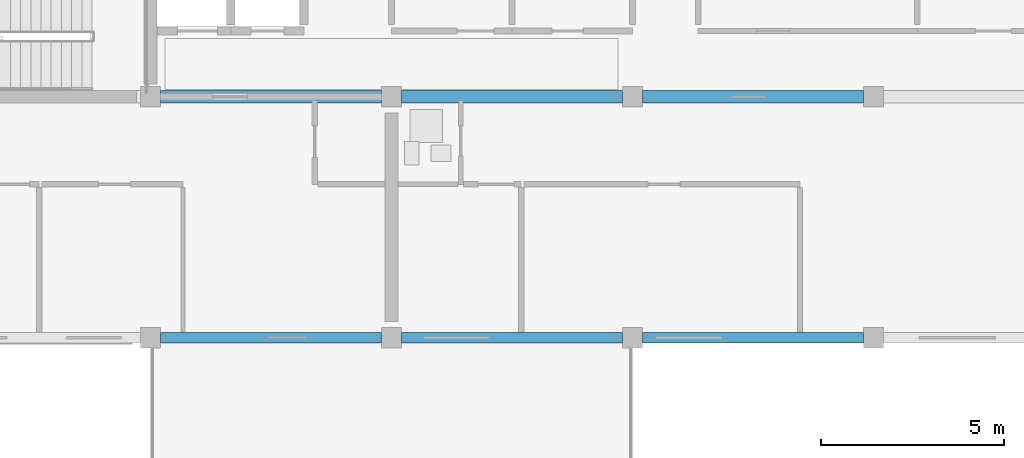
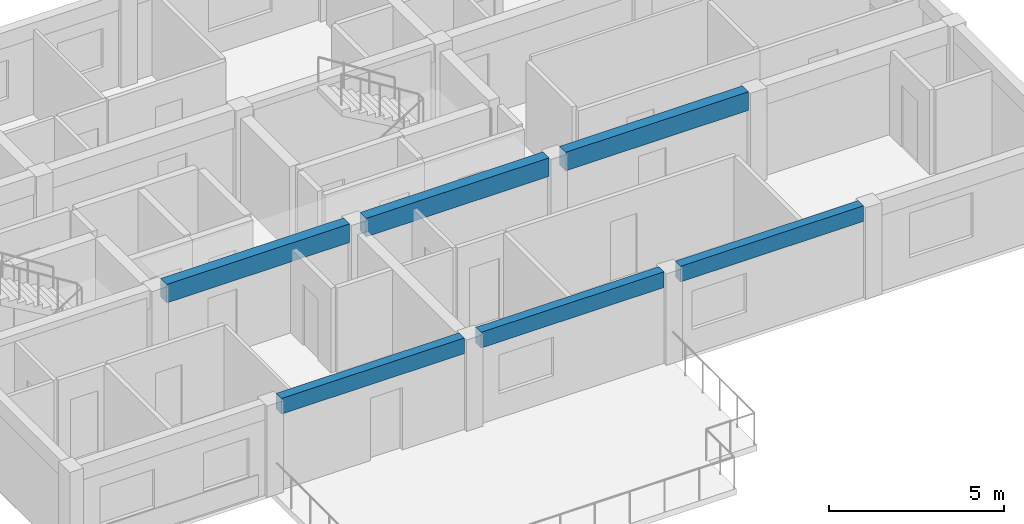
# One storey, part 19 of 51: 6 beams.
"""IFC4 building model written with IfcOpenShell, lengths in metres."""

from ifc_helpers import new_model, si_unit, direction, frame, origin, origin_2d, place, context, subcontext, project, spatial, rectangle, extrude, material, material_profile, profile_set, type_object, element, save


model = new_model("IFC4")

# Units and contexts
model_context = context("Model", 3, precision=1e-05, world=origin(), true_north=direction((0.0, 1.0)))
body_context = subcontext(model_context, "Body", "Model", "MODEL_VIEW")
ifc_project = project(units=[si_unit("LENGTHUNIT", "METRE"), si_unit("AREAUNIT", "SQUARE_METRE"), si_unit("VOLUMEUNIT", "CUBIC_METRE"), si_unit("PLANEANGLEUNIT", "RADIAN"), si_unit("MASSUNIT", "GRAM", prefix="KILO")], contexts=[model_context])

# Site, building, storey
site_placement = place(None, origin())
site = spatial("IfcSite", under=ifc_project, at=site_placement, CompositionType="ELEMENT")
building_placement = place(site_placement, origin())
building = spatial("IfcBuilding", under=site, at=building_placement, Name="Kernevlak Ridge Housing Community", CompositionType="ELEMENT")
storey_placement = place(building_placement, frame((0.0, 0.0, 8.39990234375)))
storey = spatial("IfcBuildingStorey", under=building, at=storey_placement, Name="L02", CompositionType="ELEMENT", Elevation=8.39990234375)

# Beams
ifc_material = material(Name="Concrete C35/45", Category="concrete")
ifc_material_profile_1 = material_profile(ifc_material, rectangle(XDim=0.35009765625, YDim=0.64990234375, at=origin_2d()), Name="RC 350x650")
ifc_profile_set_1 = profile_set([ifc_material_profile_1], Name="Concrete C35/45")
beam_type_1 = type_object("IfcBeamType", Name="B-02", PredefinedType="BEAM", material=ifc_profile_set_1)
for number, where, z_axis, x_axis, name in (
    (1, (126.27490234375, 89.199951171875, 2.875), (1.0, 0.0, 0.0), (0.0, 1.0, 0.0), "Beam B-02 L02 635"),
    (2, (132.875, 89.199951171875, 2.875), (1.0, 0.0, 0.0), (0.0, 1.0, 0.0), "Beam B-02 L02 636"),
):
    element("IfcBeam", number, at=place(storey_placement, frame(where, z_axis=z_axis, x_axis=x_axis)), inside=storey, type_object=beam_type_1, Name=name, PredefinedType="BEAM", context=body_context, shape_type="SweptSolid", body=[
        extrude(rectangle(XDim=0.35009765625, YDim=0.64990234375, at=origin_2d()), origin(), (0.0, 0.0, 1.0), 6.050048828125),
    ])
beam_1_placement = place(storey_placement, frame((139.47509765625, 89.199951171875, 2.875), z_axis=(1.0, 0.0, 0.0), x_axis=(0.0, 1.0, 0.0)))
element("IfcBeam", 3, at=beam_1_placement, inside=storey, type_object=beam_type_1, Name="Beam B-02 L02 637", PredefinedType="BEAM", context=body_context, shape_type="SweptSolid", body=[
    extrude(rectangle(XDim=0.35009765625, YDim=0.64990234375, at=origin_2d()), origin(), (0.0, 0.0, 1.0), 6.0498046875),
])
ifc_material_profile_2 = material_profile(ifc_material, rectangle(XDim=0.300048828125, YDim=0.550048828125, at=origin_2d()), Name="RC 300x550")
ifc_profile_set_2 = profile_set([ifc_material_profile_2], Name="Concrete C35/45")
beam_type_2 = type_object("IfcBeamType", Name="SP-01", PredefinedType="SPANDREL", material=ifc_profile_set_2)
for number, where, z_axis, x_axis, name in (
    (4, (126.27490234375, 82.60009765625, 2.925048828125), (1.0, 0.0, 0.0), (0.0, 1.0, 0.0), "Beam SP-01 L02 630"),
    (5, (132.875, 82.60009765625, 2.925048828125), (1.0, 0.0, 0.0), (0.0, 1.0, 0.0), "Beam SP-01 L02 631"),
):
    element("IfcBeam", number, at=place(storey_placement, frame(where, z_axis=z_axis, x_axis=x_axis)), inside=storey, type_object=beam_type_2, Name=name, PredefinedType="SPANDREL", context=body_context, shape_type="SweptSolid", body=[
        extrude(rectangle(XDim=0.300048828125, YDim=0.550048828125, at=origin_2d()), origin(), (0.0, 0.0, 1.0), 6.050048828125),
    ])
beam_2_placement = place(storey_placement, frame((139.47509765625, 82.60009765625, 2.925048828125), z_axis=(1.0, 0.0, 0.0), x_axis=(0.0, 1.0, 0.0)))
element("IfcBeam", 6, at=beam_2_placement, inside=storey, type_object=beam_type_2, Name="Beam SP-01 L02 632", PredefinedType="SPANDREL", context=body_context, shape_type="SweptSolid", body=[
    extrude(rectangle(XDim=0.300048828125, YDim=0.550048828125, at=origin_2d()), origin(), (0.0, 0.0, 1.0), 6.0498046875),
])

save(model, "model.ifc")
